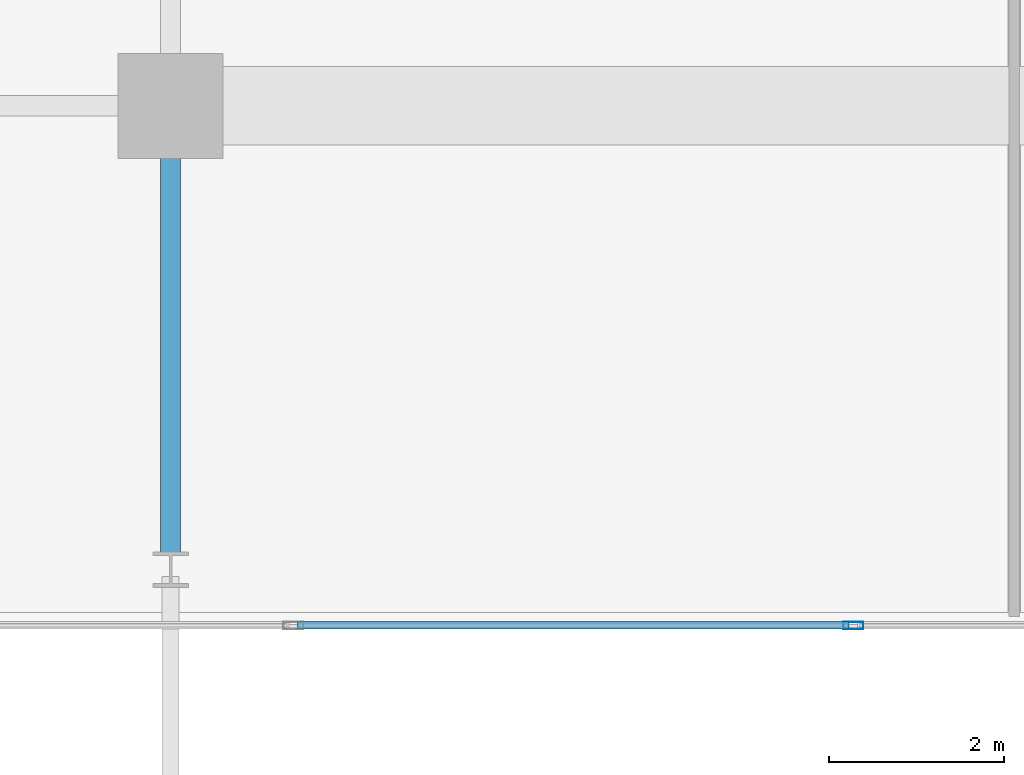
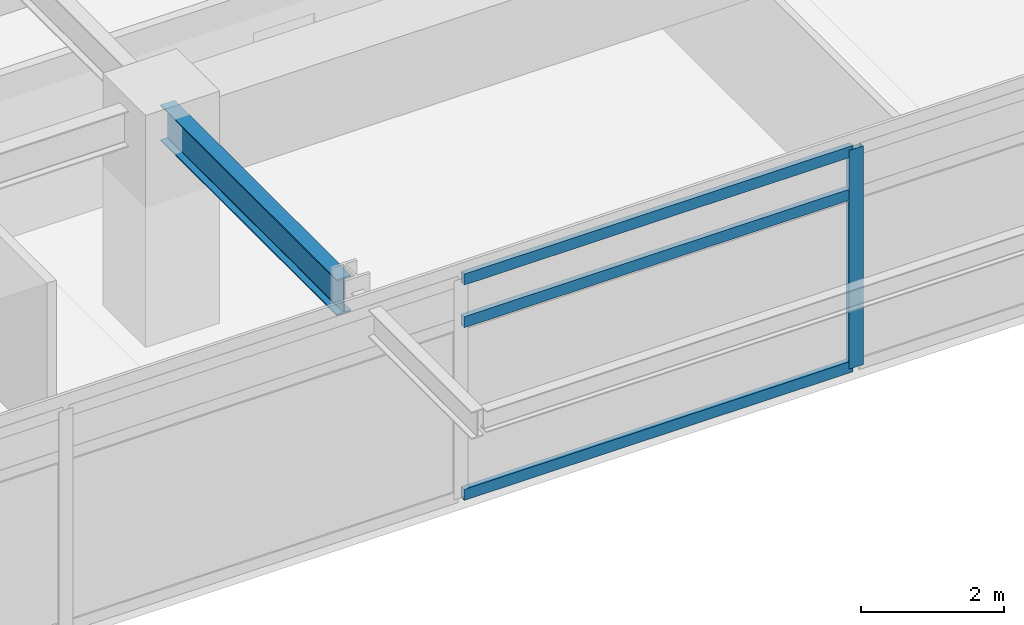
# One storey, part 3 of 19: 4 members, 1 beam, 1 element without a shape of its own.
"""IFC4 building model written with IfcOpenShell, lengths in metres."""

from ifc_helpers import new_model, si_unit, direction, frame, origin, origin_2d, place, context, subcontext, project, spatial, hollow_rectangle, i_section, extrude, material, material_profile, profile_set, type_object, element, aggregate, save


model = new_model("IFC4")

# Units and contexts
model_context = context("Model", 3, precision=1e-05, world=origin(), true_north=direction((0.0, 1.0)))
body_context = subcontext(model_context, "Body", "Model", "MODEL_VIEW")
ifc_project = project(units=[si_unit("LENGTHUNIT", "METRE"), si_unit("AREAUNIT", "SQUARE_METRE"), si_unit("VOLUMEUNIT", "CUBIC_METRE"), si_unit("PLANEANGLEUNIT", "RADIAN"), si_unit("MASSUNIT", "GRAM", prefix="KILO")], contexts=[model_context])

# Site, building, storey
site_placement = place(None, origin())
site = spatial("IfcSite", under=ifc_project, at=site_placement, CompositionType="ELEMENT")
building_placement = place(site_placement, origin())
building = spatial("IfcBuilding", under=site, at=building_placement, Name="Kovane Verandah Tower", CompositionType="ELEMENT")
storey_placement = place(building_placement, frame((0.0, 0.0, 255.199951171875)))
storey = spatial("IfcBuildingStorey", under=building, at=storey_placement, Name="L59", CompositionType="ELEMENT", Elevation=255.199951171875)

# Beam
ifc_material_1 = material(Name="Steel S355", Category="steel")
ifc_material_profile_1 = material_profile(ifc_material_1, i_section(OverallWidth=0.230224609375, OverallDepth=0.6171875, WebThickness=0.01318359375, FlangeThickness=0.022216796875, FilletRadius=0.0126953125, at=origin_2d()), Name="UB610x229x140")
ifc_profile_set_1 = profile_set([ifc_material_profile_1], Name="Steel S355")
beam_type = type_object("IfcBeamType", Name="BM-UB610x140", PredefinedType="BEAM", material=ifc_profile_set_1)
beam_placement = place(storey_placement, frame((29.0, 10.6201171875, 3.451416015625), z_axis=(0.0, -1.0, 0.0), x_axis=(1.0, 0.0, 0.0)))
element("IfcBeam", 1, at=beam_placement, inside=storey, type_object=beam_type, Name="L59 Primary Tower Girder G-VS1", PredefinedType="BEAM", context=body_context, shape_type="SweptSolid", body=[
    extrude(i_section(OverallWidth=0.230224609375, OverallDepth=0.6171875, WebThickness=0.01318359375, FlangeThickness=0.022216796875, FilletRadius=0.0126953125, at=origin_2d()), origin(), (0.0, 0.0, 1.0), 4.940185546875),
])

# Curtain wall, members
ifc_material_2 = material(Name="Champagne Anodised Aluminium Frame with Low-E Clear Laminated Glass", Category="aluminium")
curtain_wall_type = type_object("IfcCurtainWallType", Name="CW-SYS-05-HIGH", PredefinedType="NOTDEFINED", material=ifc_material_2)
curtain_wall_placement = place(storey_placement, origin())
curtain_wall = element("IfcCurtainWall", 2, at=curtain_wall_placement, inside=storey, type_object=curtain_wall_type, Name="L59 S Unitised Curtain Wall", PredefinedType="NOTDEFINED")
ifc_material_3 = material(Name="Champagne Anodised Aluminium 6063-T6", Category="aluminium")
ifc_material_profile_2 = material_profile(ifc_material_3, hollow_rectangle(XDim=0.0849609375, YDim=0.22998046875, WallThickness=0.00390625, at=origin_2d()), Name="AL85x230x4")
ifc_profile_set_2 = profile_set([ifc_material_profile_2], Name="Champagne Anodised Aluminium 6063-T6")
member_type_1 = type_object("IfcMemberType", Name="CW-MUL-85x230", PredefinedType="MULLION", material=ifc_profile_set_2)
member_1_placement = place(storey_placement, frame((36.800537109375, 4.8623046875, 0.02001953125), z_axis=(0.0, 0.0, 1.0), x_axis=(0.0, -1.0, 0.0)))
member_1 = element("IfcMember", 3, at=member_1_placement, type_object=member_type_1, Name="L59 S Unitised Curtain Wall Mullion 4", PredefinedType="MULLION", context=body_context, shape_type="SweptSolid", body=[
    extrude(hollow_rectangle(XDim=0.0849609375, YDim=0.22998046875, WallThickness=0.00390625, at=origin_2d()), origin(), (0.0, 0.0, 1.0), 3.7451171875),
])
ifc_material_profile_3 = material_profile(ifc_material_3, hollow_rectangle(XDim=0.0849609375, YDim=0.18994140625, WallThickness=0.00390625, at=origin_2d()), Name="AL85x190x4")
ifc_profile_set_3 = profile_set([ifc_material_profile_3], Name="Champagne Anodised Aluminium 6063-T6")
member_type_2 = type_object("IfcMemberType", Name="CW-TRN-85x190", PredefinedType="USERDEFINED", material=ifc_profile_set_3)
member_2_placement = place(storey_placement, frame((30.45166015625, 4.8623046875, 0.050048828125), z_axis=(1.0, 0.0, 0.0), x_axis=(0.0, 1.0, 0.0)))
member_2 = element("IfcMember", 4, at=member_2_placement, type_object=member_type_2, Name="L59 S Unitised Curtain Wall Transom TB Bay 3", ObjectType="TRANSOM", PredefinedType="USERDEFINED", context=body_context, shape_type="SweptSolid", body=[
    extrude(hollow_rectangle(XDim=0.0849609375, YDim=0.18994140625, WallThickness=0.00390625, at=origin_2d()), origin(), (0.0, 0.0, 1.0), 6.298828125),
])
member_3_placement = place(storey_placement, frame((30.45166015625, 4.8623046875, 3.005126953125), z_axis=(1.0, 0.0, 0.0), x_axis=(0.0, 1.0, 0.0)))
member_3 = element("IfcMember", 5, at=member_3_placement, type_object=member_type_2, Name="L59 S Unitised Curtain Wall Transom TM Bay 3", ObjectType="TRANSOM", PredefinedType="USERDEFINED", context=body_context, shape_type="SweptSolid", body=[
    extrude(hollow_rectangle(XDim=0.0849609375, YDim=0.18994140625, WallThickness=0.00390625, at=origin_2d()), origin(), (0.0, 0.0, 1.0), 6.298828125),
])
member_4_placement = place(storey_placement, frame((30.45166015625, 4.8623046875, 3.735107421875), z_axis=(1.0, 0.0, 0.0), x_axis=(0.0, 1.0, 0.0)))
member_4 = element("IfcMember", 6, at=member_4_placement, type_object=member_type_2, Name="L59 S Unitised Curtain Wall Transom TT Bay 3", ObjectType="TRANSOM", PredefinedType="USERDEFINED", context=body_context, shape_type="SweptSolid", body=[
    extrude(hollow_rectangle(XDim=0.0849609375, YDim=0.18994140625, WallThickness=0.00390625, at=origin_2d()), origin(), (0.0, 0.0, 1.0), 6.298828125),
])
aggregate(curtain_wall, [member_1, member_2, member_3, member_4])

save(model, "model.ifc")
